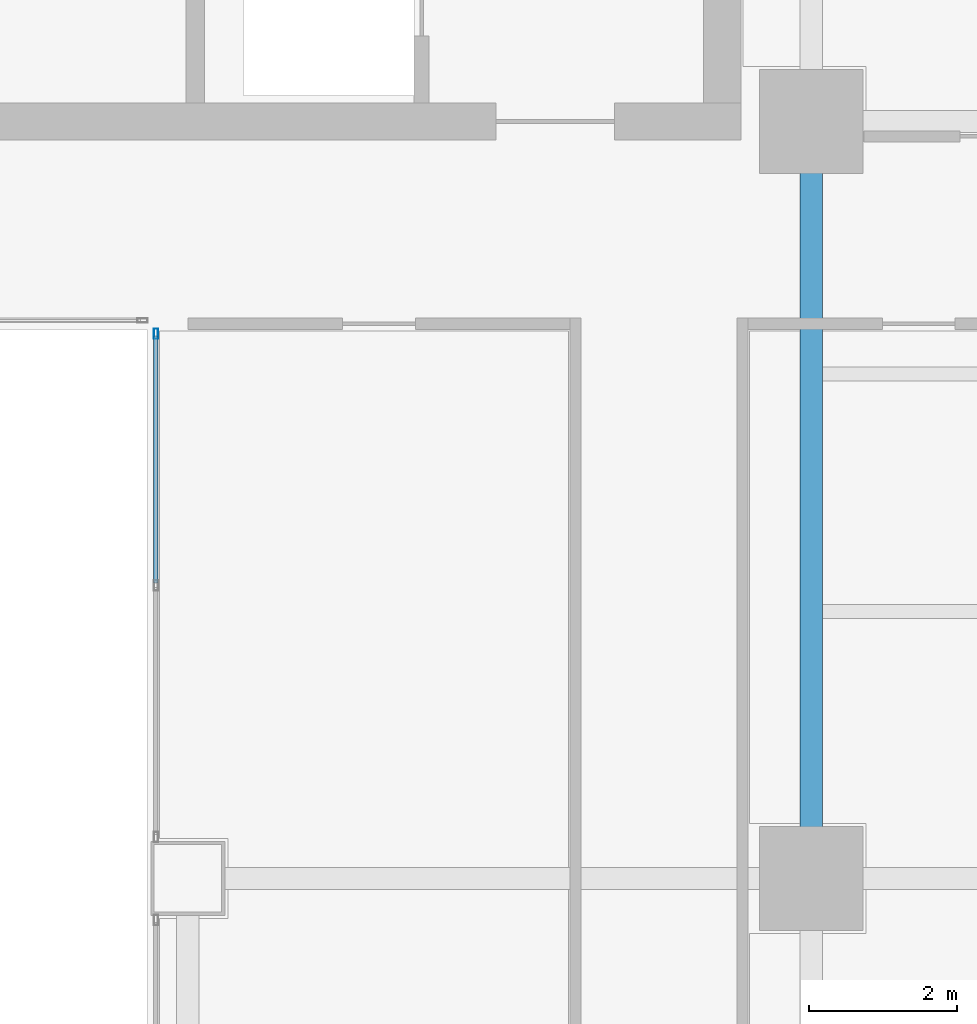
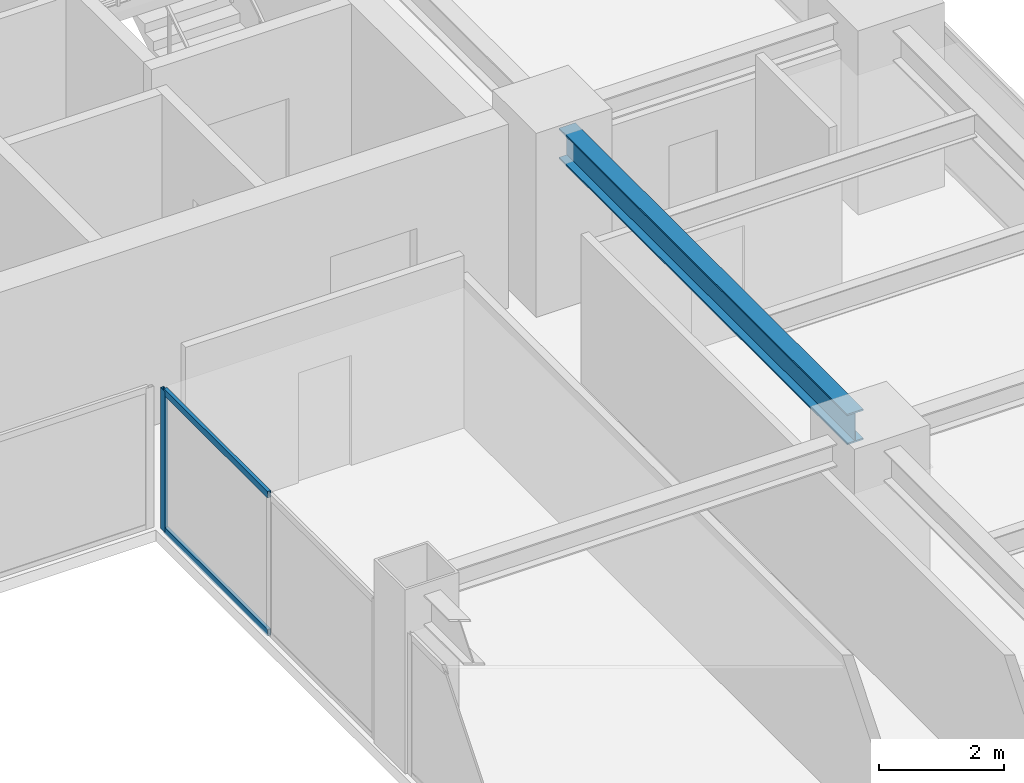
# One storey, part 16 of 29: 3 members, 1 beam, 1 element without a shape of its own.
"""IFC4 building model written with IfcOpenShell, lengths in metres."""

from ifc_helpers import new_model, si_unit, direction, frame, origin, origin_2d, place, context, subcontext, project, spatial, hollow_rectangle, i_section, extrude, source, transform, mapped, material, layer, layer_set, material_profile, profile_set, type_object, element, aggregate, save


model = new_model("IFC4")

# Units and contexts
model_context = context("Model", 3, precision=1e-05, world=origin(), true_north=direction((0.0, 1.0)))
body_context = subcontext(model_context, "Body", "Model", "MODEL_VIEW")
ifc_project = project(units=[si_unit("LENGTHUNIT", "METRE"), si_unit("AREAUNIT", "SQUARE_METRE"), si_unit("VOLUMEUNIT", "CUBIC_METRE"), si_unit("PLANEANGLEUNIT", "RADIAN"), si_unit("MASSUNIT", "GRAM", prefix="KILO")], contexts=[model_context])

# Site, building, storey
site_placement = place(None, origin())
site = spatial("IfcSite", under=ifc_project, at=site_placement, CompositionType="ELEMENT")
building_placement = place(site_placement, origin())
building = spatial("IfcBuilding", under=site, at=building_placement, Name="Sumidabori Civic Tower", CompositionType="ELEMENT")
storey_placement = place(building_placement, frame((0.0, 0.0, 207.199951171875)))
storey = spatial("IfcBuildingStorey", under=building, at=storey_placement, Name="L53", CompositionType="ELEMENT", Elevation=207.199951171875)

# Beam
ifc_material_1 = material(Name="Steel SN490", Category="steel")
ifc_material_profile_1 = material_profile(ifc_material_1, i_section(OverallWidth=0.300048828125, OverallDepth=0.60009765625, WebThickness=0.015380859375, FlangeThickness=0.030029296875, at=origin_2d()), Name="HE 600 B")
ifc_profile_set_1 = profile_set([ifc_material_profile_1], Name="Steel SN490")
beam_type = type_object("IfcBeamType", Name="BM-GIRD-600", PredefinedType="BEAM", material=ifc_profile_set_1)
shared_shape_1 = source(origin(), body_context, "Body", "SweptSolid", [
    extrude(i_section(OverallWidth=0.300048828125, OverallDepth=0.60009765625, WebThickness=0.015380859375, FlangeThickness=0.030029296875, at=origin_2d()), origin(), (0.0, 0.0, 1.0), 9.239990234375),
])
beam_placement = place(storey_placement, frame((16.800048828125, 0.47998046875, 3.080078125), z_axis=(0.0, 1.0, 0.0), x_axis=(-1.0, 0.0, 0.0)))
element("IfcBeam", 1, at=beam_placement, inside=storey, type_object=beam_type, Name="Primary Girder L53 GY-20", PredefinedType="BEAM", context=body_context, shape_type="MappedRepresentation", body=[
    mapped(shared_shape_1, transform((0.0, 0.0, 0.0), x_axis=(1.0, 0.0, 0.0), y_axis=(0.0, 1.0, 0.0), z_axis=(0.0, 0.0, 1.0), scale=1.0)),
])

# Curtain wall, members
ifc_material_2 = material(Name="Anodised Bronze Aluminium AW-6063-T6", Category="aluminium")
ifc_layer = layer(ifc_material_2, 0.179931640625, Name="Anodised Bronze Aluminium AW-6063-T6")
ifc_layer_set = layer_set([ifc_layer], Name="Anodised Bronze Aluminium AW-6063-T6")
curtain_wall_type = type_object("IfcCurtainWallType", Name="CW-SYS-4", PredefinedType="NOTDEFINED", material=ifc_layer_set)
curtain_wall_placement = place(storey_placement, origin())
curtain_wall = element("IfcCurtainWall", 2, at=curtain_wall_placement, inside=storey, type_object=curtain_wall_type, Name="Curtain Wall CW:L53:R06", PredefinedType="NOTDEFINED")
ifc_material_profile_2 = material_profile(ifc_material_2, hollow_rectangle(XDim=0.06005859375, YDim=0.139892578125, WallThickness=0.0048828125, at=origin_2d()), Name="ALU MULLION 140x60")
ifc_profile_set_2 = profile_set([ifc_material_profile_2], Name="Anodised Bronze Aluminium AW-6063-T6")
member_type_1 = type_object("IfcMemberType", Name="CW-MUL-140", PredefinedType="MULLION", material=ifc_profile_set_2)
shared_shape_2 = source(origin(), body_context, "Body", "SweptSolid", [
    extrude(hollow_rectangle(XDim=0.06005859375, YDim=0.139892578125, WallThickness=0.0048828125, at=origin_2d()), origin(), (0.0, 0.0, 1.0), 2.760009765625),
])
member_1_placement = place(storey_placement, frame((7.969970703125, 7.340087890625, 0.0), z_axis=(0.0, 0.0, 1.0), x_axis=(1.0, 0.0, 0.0)))
member_1 = element("IfcMember", 3, at=member_1_placement, type_object=member_type_1, Name="CW-4 mullion 1", PredefinedType="MULLION", context=body_context, shape_type="MappedRepresentation", body=[
    mapped(shared_shape_2, transform((0.0, 0.0, 0.0), x_axis=(1.0, 0.0, 0.0), y_axis=(0.0, 1.0, 0.0), z_axis=(0.0, 0.0, 1.0), scale=1.0)),
])
ifc_material_profile_3 = material_profile(ifc_material_2, hollow_rectangle(XDim=0.06005859375, YDim=0.1298828125, WallThickness=0.0048828125, at=origin_2d()), Name="ALU TRANSOM 130x60")
ifc_profile_set_3 = profile_set([ifc_material_profile_3], Name="Anodised Bronze Aluminium AW-6063-T6")
member_type_2 = type_object("IfcMemberType", Name="CW-TRN-130", PredefinedType="USERDEFINED", material=ifc_profile_set_3)
shared_shape_3 = source(origin(), body_context, "Body", "SweptSolid", [
    extrude(hollow_rectangle(XDim=0.06005859375, YDim=0.1298828125, WallThickness=0.0048828125, at=origin_2d()), origin(), (0.0, 0.0, 1.0), 3.330078125),
])
member_2_placement = place(storey_placement, frame((7.969970703125, 7.31005859375, 0.030029296875), z_axis=(0.0, -1.0, 0.0), x_axis=(1.0, 0.0, 0.0)))
member_2 = element("IfcMember", 4, at=member_2_placement, type_object=member_type_2, Name="CW-4 transom 1.1", ObjectType="TRANSOM", PredefinedType="USERDEFINED", context=body_context, shape_type="MappedRepresentation", body=[
    mapped(shared_shape_3, transform((0.0, 0.0, 0.0), x_axis=(1.0, 0.0, 0.0), y_axis=(0.0, 1.0, 0.0), z_axis=(0.0, 0.0, 1.0), scale=1.0)),
])
member_3_placement = place(storey_placement, frame((7.969970703125, 7.31005859375, 2.72998046875), z_axis=(0.0, -1.0, 0.0), x_axis=(1.0, 0.0, 0.0)))
member_3 = element("IfcMember", 5, at=member_3_placement, type_object=member_type_2, Name="CW-4 transom 1.2", ObjectType="TRANSOM", PredefinedType="USERDEFINED", context=body_context, shape_type="MappedRepresentation", body=[
    mapped(shared_shape_3, transform((0.0, 0.0, 0.0), x_axis=(1.0, 0.0, 0.0), y_axis=(0.0, 1.0, 0.0), z_axis=(0.0, 0.0, 1.0), scale=1.0)),
])
aggregate(curtain_wall, [member_1, member_2, member_3])

save(model, "model.ifc")
